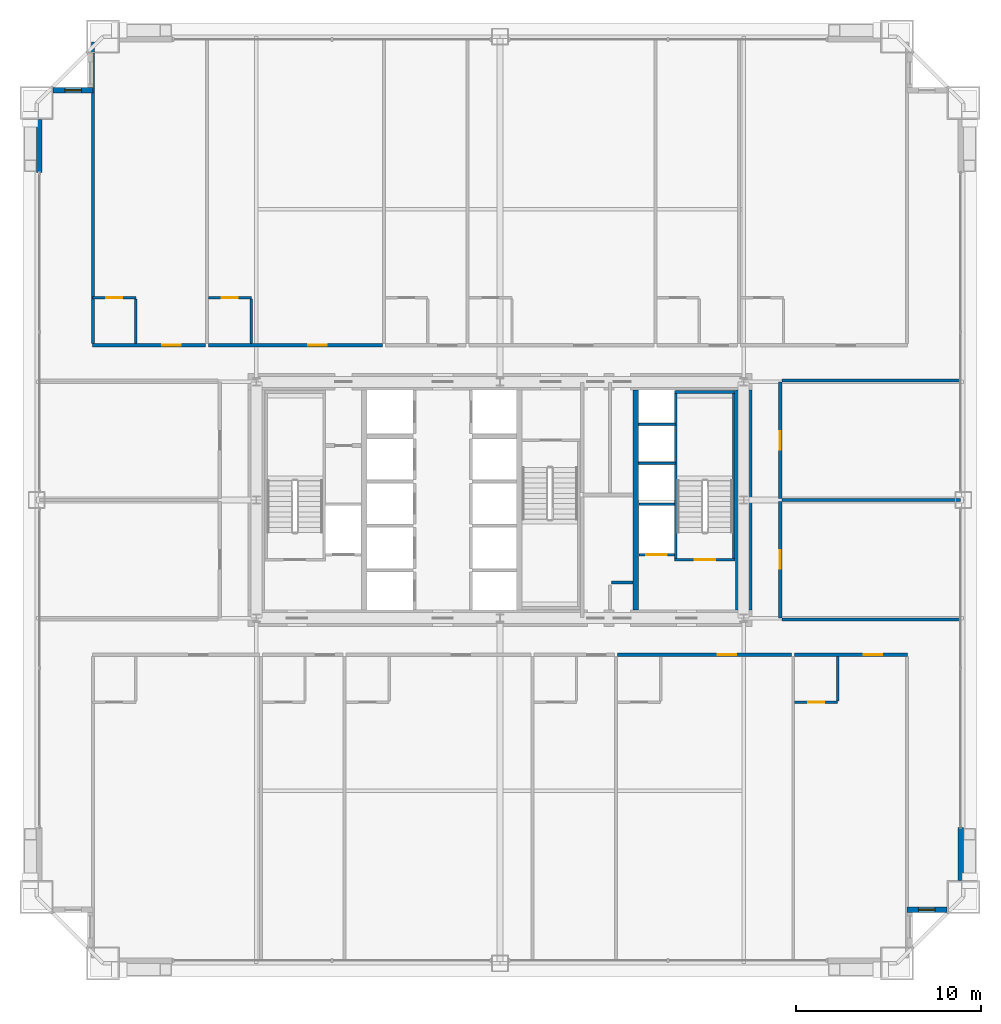
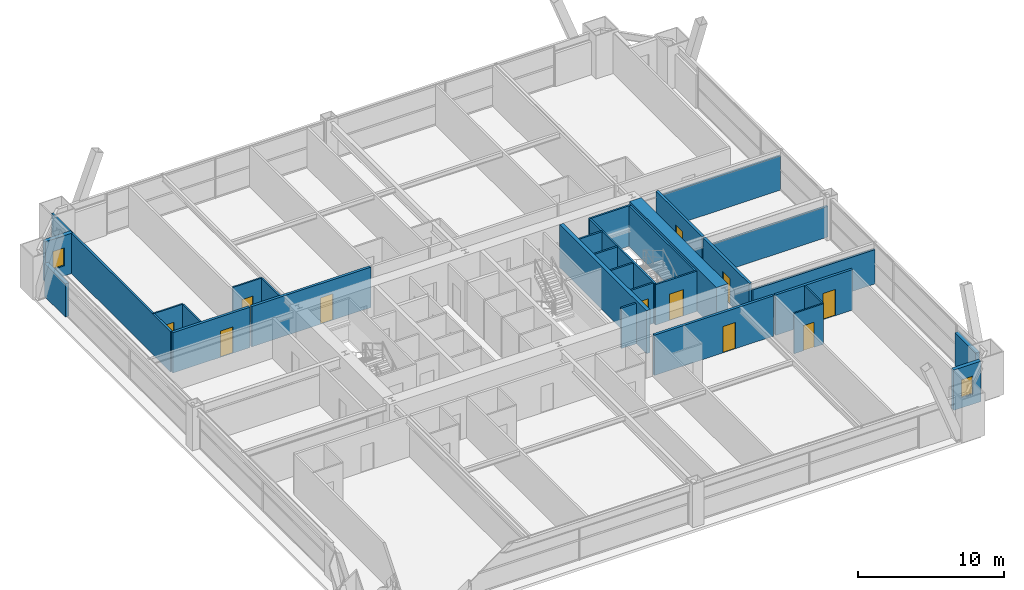
# One storey, part 41 of 43: 31 walls, 11 doors, 2 windows, 13 openings.
"""IFC4 building model written with IfcOpenShell, lengths in metres."""

from ifc_helpers import new_model, si_unit, direction, frame, frame_2d, origin, place, context, subcontext, project, spatial, rectangle, extrude, source, transform, mapped, material, layer, layer_set, type_object, element, fill, save


model = new_model("IFC4")

# Units and contexts
model_context = context("Model", 3, precision=1e-05, world=origin(), true_north=direction((0.0, 1.0)))
body_context = subcontext(model_context, "Body", "Model", "MODEL_VIEW")
ifc_project = project(units=[si_unit("LENGTHUNIT", "METRE"), si_unit("AREAUNIT", "SQUARE_METRE"), si_unit("VOLUMEUNIT", "CUBIC_METRE"), si_unit("PLANEANGLEUNIT", "RADIAN"), si_unit("MASSUNIT", "GRAM", prefix="KILO"), si_unit("THERMODYNAMICTEMPERATUREUNIT", "KELVIN"), si_unit("POWERUNIT", "WATT")], contexts=[model_context])

# Site, building, storey
site_placement = place(None, origin())
site = spatial("IfcSite", under=ifc_project, at=site_placement, CompositionType="ELEMENT")
building_placement = place(site_placement, origin())
building = spatial("IfcBuilding", under=site, at=building_placement, Name="Yuzanri Waterfront Tower", CompositionType="ELEMENT")
storey_placement = place(building_placement, frame((0.0, 0.0, 74.800048828125)))
storey = spatial("IfcBuildingStorey", under=building, at=storey_placement, Name="L19", CompositionType="ELEMENT", Elevation=74.800048828125)

# Wall, opening, door
ifc_material_1 = material(Name="Moisture-Resistant Gypsum Stud Wall", Category="gypsum")
ifc_layer_1 = layer(ifc_material_1, 0.1201171875)
ifc_layer_set_1 = layer_set([ifc_layer_1], Name="Moisture-Resistant Gypsum Stud Wall")
wall_type_1 = type_object("IfcWallType", Name="Bathroom and Kitchen Wet Partition 120", PredefinedType="PARTITIONING", material=ifc_layer_set_1)
wall_1_placement = place(storey_placement, frame((52.962890625, 14.840087890625, 0.0), z_axis=(0.0, 0.0, 1.0), x_axis=(1.0, 0.0, 0.0)))
wall_1 = element("IfcWall", 1, at=wall_1_placement, inside=storey, type_object=wall_type_1, Name="L19 Partition UW-L19-S6-BS", PredefinedType="PARTITIONING", context=body_context, shape_type="SweptSolid", body=[
    extrude(rectangle(XDim=2.330078125, YDim=0.1201171875, at=frame_2d((1.1650390625, 0.0))), origin(), (0.0, 0.0, 1.0), 3.3798828125),
])
opening_1_placement = place(wall_1_placement, frame((0.739990234375, 0.0, 0.0)))
opening_1 = element("IfcOpeningElement", 2, at=opening_1_placement, cuts=wall_1, Name="Opening ID-0850", PredefinedType="OPENING", context=body_context, shape_type="SweptSolid", body=[
    extrude(rectangle(XDim=0.85009765625, YDim=2.10009765625, at=frame_2d((0.425048828125, 1.050048828125))), frame((0.0, 0.074951171875, 0.0), z_axis=(0.0, -1.0, 0.0), x_axis=(1.0, 0.0, 0.0)), (0.0, 0.0, 1.0), 0.14990234375),
])
ifc_material_2 = material(Name="Moisture-Resistant Lacquered Timber", Category="wood")
door_type_1 = type_object("IfcDoorType", Name="En-Suite Bathroom and Kitchen Swing Door 850x2100", OperationType="NOTDEFINED", PredefinedType="DOOR", material=ifc_material_2)
shared_shape_1 = source(origin(), body_context, "Body", "SweptSolid", [
    extrude(rectangle(XDim=0.85009765625, YDim=2.10009765625, at=frame_2d((0.425048828125, 1.050048828125))), frame((0.0, 0.02490234375, 0.0), z_axis=(0.0, -1.0, 0.0), x_axis=(1.0, 0.0, 0.0)), (0.0, 0.0, 1.0), 0.050048828125),
])
door_1_placement = place(opening_1_placement, origin())
door_1 = element("IfcDoor", 3, at=door_1_placement, inside=storey, type_object=door_type_1, Name="L19 Guest En-Suite Door", OperationType="SINGLE_SWING_LEFT", OverallHeight=2.10009765625, OverallWidth=0.85009765625, PredefinedType="DOOR", context=body_context, shape_type="MappedRepresentation", body=[
    mapped(shared_shape_1, transform((0.0, 0.0, 0.0), scale=1.0)),
])
fill(opening_1, door_1)

wall_2_placement = place(storey_placement, frame((14.93994140625, 36.760009765625, 0.0), z_axis=(0.0, 0.0, 1.0), x_axis=(1.0, 0.0, 0.0)))
wall_2 = element("IfcWall", 4, at=wall_2_placement, inside=storey, type_object=wall_type_1, Name="L19 Partition UW-L19-N1-BN", PredefinedType="PARTITIONING", context=body_context, shape_type="SweptSolid", body=[
    extrude(rectangle(XDim=2.330078125, YDim=0.1201171875, at=frame_2d((1.1650390625, 0.0))), origin(), (0.0, 0.0, 1.0), 3.3798828125),
])
opening_2_placement = place(wall_2_placement, frame((0.739990234375, 0.0, 0.0)))
opening_2 = element("IfcOpeningElement", 5, at=opening_2_placement, cuts=wall_2, Name="Opening ID-0850", PredefinedType="OPENING", context=body_context, shape_type="SweptSolid", body=[
    extrude(rectangle(XDim=0.85009765625, YDim=2.10009765625, at=frame_2d((0.425048828125, 1.050048828125))), frame((0.0, 0.074951171875, 0.0), z_axis=(0.0, -1.0, 0.0), x_axis=(1.0, 0.0, 0.0)), (0.0, 0.0, 1.0), 0.14990234375),
])
door_2_placement = place(opening_2_placement, origin())
door_2 = element("IfcDoor", 6, at=door_2_placement, inside=storey, type_object=door_type_1, Name="L19 Guest En-Suite Door", OperationType="SINGLE_SWING_LEFT", OverallHeight=2.10009765625, OverallWidth=0.85009765625, PredefinedType="DOOR", context=body_context, shape_type="MappedRepresentation", body=[
    mapped(shared_shape_1, transform((0.0, 0.0, 0.0), scale=1.0)),
])
fill(opening_2, door_2)

wall_3_placement = place(storey_placement, frame((21.197021484375, 36.760009765625, 0.0), z_axis=(0.0, 0.0, 1.0), x_axis=(1.0, 0.0, 0.0)))
wall_3 = element("IfcWall", 7, at=wall_3_placement, inside=storey, type_object=wall_type_1, Name="L19 Partition UW-L19-N2-BN", PredefinedType="PARTITIONING", context=body_context, shape_type="SweptSolid", body=[
    extrude(rectangle(XDim=2.330078125, YDim=0.1201171875, at=frame_2d((1.1650390625, 0.0))), origin(), (0.0, 0.0, 1.0), 3.3798828125),
])
opening_3_placement = place(wall_3_placement, frame((0.739990234375, 0.0, 0.0)))
opening_3 = element("IfcOpeningElement", 8, at=opening_3_placement, cuts=wall_3, Name="Opening ID-0850", PredefinedType="OPENING", context=body_context, shape_type="SweptSolid", body=[
    extrude(rectangle(XDim=0.85009765625, YDim=2.10009765625, at=frame_2d((0.425048828125, 1.050048828125))), frame((0.0, 0.074951171875, 0.0), z_axis=(0.0, -1.0, 0.0), x_axis=(1.0, 0.0, 0.0)), (0.0, 0.0, 1.0), 0.14990234375),
])
door_3_placement = place(opening_3_placement, origin())
door_3 = element("IfcDoor", 9, at=door_3_placement, inside=storey, type_object=door_type_1, Name="L19 Guest En-Suite Door", OperationType="SINGLE_SWING_LEFT", OverallHeight=2.10009765625, OverallWidth=0.85009765625, PredefinedType="DOOR", context=body_context, shape_type="MappedRepresentation", body=[
    mapped(shared_shape_1, transform((0.0, 0.0, 0.0), scale=1.0)),
])
fill(opening_3, door_3)

# Wall, opening, window
ifc_material_3 = material(Name="Honed Chongqing Dark Basalt Stone", Category="masonry")
ifc_layer_2 = layer(ifc_material_3, 0.300048828125)
ifc_layer_set_2 = layer_set([ifc_layer_2], Name="Honed Chongqing Dark Basalt Stone")
wall_type_2 = type_object("IfcWallType", Name="Bronze Rainscreen Insulated Spandrel Portal Wall 300", PredefinedType="SOLIDWALL", material=ifc_layer_set_2)
wall_4_placement = place(storey_placement, frame((59.050048828125, 3.60009765625, 0.0), z_axis=(0.0, 0.0, 1.0), x_axis=(1.0, 0.0, 0.0)))
wall_4 = element("IfcWall", 10, at=wall_4_placement, inside=storey, type_object=wall_type_2, Name="L19 Notched Corner Masonry Wall SE-X", PredefinedType="SOLIDWALL", context=body_context, shape_type="SweptSolid", body=[
    extrude(rectangle(XDim=2.14990234375, YDim=0.300048828125, at=frame_2d((1.074951171875, 0.0))), origin(), (0.0, 0.0, 1.0), 3.3798828125),
])
opening_4_placement = place(wall_4_placement, frame((0.625, 0.0, 0.85009765625)))
opening_4 = element("IfcOpeningElement", 11, at=opening_4_placement, cuts=wall_4, Name="Opening WN-05", PredefinedType="OPENING", context=body_context, shape_type="SweptSolid", body=[
    extrude(rectangle(XDim=0.89990234375, YDim=1.5, at=frame_2d((0.449951171875, 0.75))), frame((0.0, 0.1650390625, 0.0), z_axis=(0.0, -1.0, 0.0), x_axis=(1.0, 0.0, 0.0)), (0.0, 0.0, 1.0), 0.329833984375),
])
ifc_material_4 = material(Name="Double-Silver Low-E Insulated Glass", Category="glass")
window_type = type_object("IfcWindowType", Name="Anodized Bronze Service and Stairwell Smoke-Vent Window 900x1500", PartitioningType="SINGLE_PANEL", PredefinedType="WINDOW", material=ifc_material_4)
shared_shape_2 = source(origin(), body_context, "Body", "SweptSolid", [
    extrude(rectangle(XDim=0.89990234375, YDim=1.5, at=frame_2d((0.449951171875, 0.75))), frame((0.0, 0.030029296875, 0.0), z_axis=(0.0, -1.0, 0.0), x_axis=(1.0, 0.0, 0.0)), (0.0, 0.0, 1.0), 0.06005859375),
])
window_1_placement = place(opening_4_placement, origin())
window_1 = element("IfcWindow", 12, at=window_1_placement, inside=storey, type_object=window_type, Name="L19 Notched Corner Window SE-X", OverallHeight=1.5, OverallWidth=0.89990234375, PartitioningType="SINGLE_PANEL", PredefinedType="WINDOW", context=body_context, shape_type="MappedRepresentation", body=[
    mapped(shared_shape_2, transform((0.0, 0.0, 0.0), scale=1.0)),
])
fill(opening_4, window_1)

wall_5_placement = place(storey_placement, frame((14.949951171875, 48.0, 0.0), z_axis=(0.0, 0.0, 1.0), x_axis=(-1.0, 0.0, 0.0)))
wall_5 = element("IfcWall", 13, at=wall_5_placement, inside=storey, type_object=wall_type_2, Name="L19 Notched Corner Masonry Wall NW-X", PredefinedType="SOLIDWALL", context=body_context, shape_type="SweptSolid", body=[
    extrude(rectangle(XDim=2.14990234375, YDim=0.300048828125, at=frame_2d((1.074951171875, 0.0))), origin(), (0.0, 0.0, 1.0), 3.3798828125),
])
opening_5_placement = place(wall_5_placement, frame((0.625, 0.0, 0.85009765625)))
opening_5 = element("IfcOpeningElement", 14, at=opening_5_placement, cuts=wall_5, Name="Opening WN-05", PredefinedType="OPENING", context=body_context, shape_type="SweptSolid", body=[
    extrude(rectangle(XDim=0.89990234375, YDim=1.5, at=frame_2d((0.449951171875, 0.75))), frame((0.0, 0.1650390625, 0.0), z_axis=(0.0, -1.0, 0.0), x_axis=(1.0, 0.0, 0.0)), (0.0, 0.0, 1.0), 0.329833984375),
])
window_2_placement = place(opening_5_placement, origin())
window_2 = element("IfcWindow", 15, at=window_2_placement, inside=storey, type_object=window_type, Name="L19 Notched Corner Window NW-X", OverallHeight=1.5, OverallWidth=0.89990234375, PartitioningType="SINGLE_PANEL", PredefinedType="WINDOW", context=body_context, shape_type="MappedRepresentation", body=[
    mapped(shared_shape_2, transform((0.0, 0.0, 0.0), scale=1.0)),
])
fill(opening_5, window_2)

# Wall, opening, door
ifc_material_5 = material(Name="Concrete C40", Category="concrete")
ifc_layer_3 = layer(ifc_material_5, 0.139892578125)
ifc_layer_set_3 = layer_set([ifc_layer_3], Name="Concrete C40")
wall_type_3 = type_object("IfcWallType", Name="Core Stair Liner and Hoistway Shaft Wall 140", PredefinedType="SOLIDWALL", material=ifc_layer_set_3)
wall_6_placement = place(storey_placement, frame((44.52001953125, 22.830078125, 0.0), z_axis=(0.0, 0.0, 1.0), x_axis=(1.0, 0.0, 0.0)))
wall_6 = element("IfcWall", 16, at=wall_6_placement, inside=storey, type_object=wall_type_3, Name="L19 Lift FL-02 Front Shaft Wall", PredefinedType="SOLIDWALL", context=body_context, shape_type="SweptSolid", body=[
    extrude(rectangle(XDim=1.919921875, YDim=0.139892578125, at=frame_2d((0.9599609375, 0.0))), origin(), (0.0, 0.0, 1.0), 3.3798828125),
])
opening_6_placement = place(wall_6_placement, frame((0.409912109375, 0.0, 0.0)))
opening_6 = element("IfcOpeningElement", 17, at=opening_6_placement, cuts=wall_6, Name="Opening LD-FL-02", PredefinedType="OPENING", context=body_context, shape_type="SweptSolid", body=[
    extrude(rectangle(XDim=1.10009765625, YDim=2.199951171875, at=frame_2d((0.550048828125, 1.10009765625))), frame((0.0, 0.0849609375, 0.0), z_axis=(0.0, -1.0, 0.0), x_axis=(1.0, 0.0, 0.0)), (0.0, 0.0, 1.0), 0.169677734375),
])
ifc_material_6 = material(Name="Brushed Bronze and Stainless Steel Cab", Category="steel")
door_type_2 = type_object("IfcDoorType", Name="Center-Parting Bronze Lift Landing Sliding Door 1100x2200", OperationType="NOTDEFINED", PredefinedType="DOOR", material=ifc_material_6)
shared_shape_3 = source(origin(), body_context, "Body", "SweptSolid", [
    extrude(rectangle(XDim=1.10009765625, YDim=2.199951171875, at=frame_2d((0.550048828125, 1.10009765625))), frame((0.0, 0.02490234375, 0.0), z_axis=(0.0, -1.0, 0.0), x_axis=(1.0, 0.0, 0.0)), (0.0, 0.0, 1.0), 0.050048828125),
])
door_4_placement = place(opening_6_placement, origin())
door_4 = element("IfcDoor", 18, at=door_4_placement, inside=storey, type_object=door_type_2, Name="L19 FL-02 Lift Landing Sliding Door", OperationType="SLIDING_TO_RIGHT", OverallHeight=2.199951171875, OverallWidth=1.10009765625, PredefinedType="DOOR", context=body_context, shape_type="MappedRepresentation", body=[
    mapped(shared_shape_3, transform((0.0, 0.0, 0.0), scale=1.0)),
])
fill(opening_6, door_4)

wall_7_placement = place(storey_placement, frame((46.4599609375, 22.570068359375, 0.0), z_axis=(0.0, 0.0, 1.0), x_axis=(1.0, 0.0, 0.0)))
wall_7 = element("IfcWall", 19, at=wall_7_placement, inside=storey, type_object=wall_type_3, Name="L19 Shaft Wall STW-L19-ST-02-S", PredefinedType="SOLIDWALL", context=body_context, shape_type="SweptSolid", body=[
    extrude(rectangle(XDim=3.280029296875, YDim=0.139892578125, at=frame_2d((1.64013671875, 0.0))), origin(), (0.0, 0.0, 1.0), 3.3798828125),
])
opening_7_placement = place(wall_7_placement, frame((1.090087890625, 0.0, 0.0)))
opening_7 = element("IfcOpeningElement", 20, at=opening_7_placement, cuts=wall_7, Name="Opening FD-1100", PredefinedType="OPENING", context=body_context, shape_type="SweptSolid", body=[
    extrude(rectangle(XDim=1.10009765625, YDim=2.199951171875, at=frame_2d((0.550048828125, 1.10009765625))), frame((0.0, 0.0849609375, 0.0), z_axis=(0.0, -1.0, 0.0), x_axis=(1.0, 0.0, 0.0)), (0.0, 0.0, 1.0), 0.169677734375),
])
ifc_material_7 = material(Name="Painted Galvanized Fire Steel", Category="steel")
door_type_3 = type_object("IfcDoorType", Name="Smoke-Proof Stair and Lobby Fire Door 1100x2200", OperationType="NOTDEFINED", PredefinedType="DOOR", material=ifc_material_7)
shared_shape_4 = source(origin(), body_context, "Body", "SweptSolid", [
    extrude(rectangle(XDim=1.10009765625, YDim=2.199951171875, at=frame_2d((0.550048828125, 1.10009765625))), frame((0.0, 0.02490234375, 0.0), z_axis=(0.0, -1.0, 0.0), x_axis=(1.0, 0.0, 0.0)), (0.0, 0.0, 1.0), 0.050048828125),
])
door_5_placement = place(opening_7_placement, origin())
door_5 = element("IfcDoor", 21, at=door_5_placement, inside=storey, type_object=door_type_3, Name="L19 Stair ST-02 Fire Door", OperationType="SINGLE_SWING_LEFT", OverallHeight=2.199951171875, OverallWidth=1.10009765625, PredefinedType="DOOR", context=body_context, shape_type="MappedRepresentation", body=[
    mapped(shared_shape_4, transform((0.0, 0.0, 0.0), scale=1.0)),
])
fill(opening_7, door_5)

ifc_material_8 = material(Name="Autoclaved Aerated Concrete Blockwork", Category="masonry")
ifc_layer_4 = layer(ifc_material_8, 0.199951171875)
ifc_layer_set_4 = layer_set([ifc_layer_4], Name="Autoclaved Aerated Concrete Blockwork")
wall_type_4 = type_object("IfcWallType", Name="Corridor and Unit Party Fire Wall 200", PredefinedType="PARTITIONING", material=ifc_layer_set_4)
wall_8_placement = place(storey_placement, frame((43.3740234375, 17.419921875, 0.0), z_axis=(0.0, 0.0, 1.0), x_axis=(1.0, 0.0, 0.0)))
wall_8 = element("IfcWall", 22, at=wall_8_placement, inside=storey, type_object=wall_type_4, Name="L19 Partition UW-L19-S5-CN", PredefinedType="PARTITIONING", context=body_context, shape_type="SweptSolid", body=[
    extrude(rectangle(XDim=9.428955078125, YDim=0.199951171875, at=frame_2d((4.71435546875, 0.0))), origin(), (0.0, 0.0, 1.0), 3.3798828125),
])
opening_8_placement = place(wall_8_placement, frame((5.4189453125, 0.0, 0.0)))
opening_8 = element("IfcOpeningElement", 23, at=opening_8_placement, cuts=wall_8, Name="Opening FD-1000", PredefinedType="OPENING", context=body_context, shape_type="SweptSolid", body=[
    extrude(rectangle(XDim=1.0, YDim=2.199951171875, at=frame_2d((0.5, 1.10009765625))), frame((0.0, 0.11474609375, 0.0), z_axis=(0.0, -1.0, 0.0), x_axis=(1.0, 0.0, 0.0)), (0.0, 0.0, 1.0), 0.229736328125),
])
ifc_material_9 = material(Name="Engineered Oak Fire-Rated Timber", Category="wood")
door_type_4 = type_object("IfcDoorType", Name="Guestroom and Apartment Entrance Fire Door 1000x2200", OperationType="NOTDEFINED", PredefinedType="DOOR", material=ifc_material_9)
shared_shape_5 = source(origin(), body_context, "Body", "SweptSolid", [
    extrude(rectangle(XDim=1.0, YDim=2.199951171875, at=frame_2d((0.5, 1.10009765625))), frame((0.0, 0.02490234375, 0.0), z_axis=(0.0, -1.0, 0.0), x_axis=(1.0, 0.0, 0.0)), (0.0, 0.0, 1.0), 0.050048828125),
])
door_6_placement = place(opening_8_placement, origin())
door_6 = element("IfcDoor", 24, at=door_6_placement, inside=storey, type_object=door_type_4, Name="L19 Junior Riverview Suite Entrance Door", OperationType="SINGLE_SWING_RIGHT", OverallHeight=2.199951171875, OverallWidth=1.0, PredefinedType="DOOR", context=body_context, shape_type="MappedRepresentation", body=[
    mapped(shared_shape_5, transform((0.0, 0.0, 0.0), scale=1.0)),
])
fill(opening_8, door_6)

wall_9_placement = place(storey_placement, frame((52.962890625, 17.419921875, 0.0), z_axis=(0.0, 0.0, 1.0), x_axis=(1.0, 0.0, 0.0)))
wall_9 = element("IfcWall", 25, at=wall_9_placement, inside=storey, type_object=wall_type_4, Name="L19 Partition UW-L19-S6-CN", PredefinedType="PARTITIONING", context=body_context, shape_type="SweptSolid", body=[
    extrude(rectangle(XDim=6.09716796875, YDim=0.199951171875, at=frame_2d((3.048583984375, 0.0))), origin(), (0.0, 0.0, 1.0), 3.3798828125),
])
opening_9_placement = place(wall_9_placement, frame((3.7529296875, 0.0, 0.0)))
opening_9 = element("IfcOpeningElement", 26, at=opening_9_placement, cuts=wall_9, Name="Opening FD-1000", PredefinedType="OPENING", context=body_context, shape_type="SweptSolid", body=[
    extrude(rectangle(XDim=1.0, YDim=2.199951171875, at=frame_2d((0.5, 1.10009765625))), frame((0.0, 0.11474609375, 0.0), z_axis=(0.0, -1.0, 0.0), x_axis=(1.0, 0.0, 0.0)), (0.0, 0.0, 1.0), 0.229736328125),
])
door_7_placement = place(opening_9_placement, origin())
door_7 = element("IfcDoor", 27, at=door_7_placement, inside=storey, type_object=door_type_4, Name="L19 Junior Riverview Suite Entrance Door", OperationType="SINGLE_SWING_RIGHT", OverallHeight=2.199951171875, OverallWidth=1.0, PredefinedType="DOOR", context=body_context, shape_type="MappedRepresentation", body=[
    mapped(shared_shape_5, transform((0.0, 0.0, 0.0), scale=1.0)),
])
fill(opening_9, door_7)

wall_10_placement = place(storey_placement, frame((14.93994140625, 34.179931640625, 0.0), z_axis=(0.0, 0.0, 1.0), x_axis=(1.0, 0.0, 0.0)))
wall_10 = element("IfcWall", 28, at=wall_10_placement, inside=storey, type_object=wall_type_4, Name="L19 Partition UW-L19-N1-CS", PredefinedType="PARTITIONING", context=body_context, shape_type="SweptSolid", body=[
    extrude(rectangle(XDim=6.09716796875, YDim=0.199951171875, at=frame_2d((3.048583984375, 0.0))), origin(), (0.0, 0.0, 1.0), 3.3798828125),
])
opening_10_placement = place(wall_10_placement, frame((3.75390625, 0.0, 0.0)))
opening_10 = element("IfcOpeningElement", 29, at=opening_10_placement, cuts=wall_10, Name="Opening FD-1000", PredefinedType="OPENING", context=body_context, shape_type="SweptSolid", body=[
    extrude(rectangle(XDim=1.0, YDim=2.199951171875, at=frame_2d((0.5, 1.10009765625))), frame((0.0, 0.11474609375, 0.0), z_axis=(0.0, -1.0, 0.0), x_axis=(1.0, 0.0, 0.0)), (0.0, 0.0, 1.0), 0.229736328125),
])
door_8_placement = place(opening_10_placement, origin())
door_8 = element("IfcDoor", 30, at=door_8_placement, inside=storey, type_object=door_type_4, Name="L19 Superior Cityview Junior Suite Entrance Door", OperationType="SINGLE_SWING_RIGHT", OverallHeight=2.199951171875, OverallWidth=1.0, PredefinedType="DOOR", context=body_context, shape_type="MappedRepresentation", body=[
    mapped(shared_shape_5, transform((0.0, 0.0, 0.0), scale=1.0)),
])
fill(opening_10, door_8)

wall_11_placement = place(storey_placement, frame((21.197021484375, 34.179931640625, 0.0), z_axis=(0.0, 0.0, 1.0), x_axis=(1.0, 0.0, 0.0)))
wall_11 = element("IfcWall", 31, at=wall_11_placement, inside=storey, type_object=wall_type_4, Name="L19 Partition UW-L19-N2-CS", PredefinedType="PARTITIONING", context=body_context, shape_type="SweptSolid", body=[
    extrude(rectangle(XDim=9.428955078125, YDim=0.199951171875, at=frame_2d((4.71435546875, 0.0))), origin(), (0.0, 0.0, 1.0), 3.3798828125),
])
opening_11_placement = place(wall_11_placement, frame((5.419921875, 0.0, 0.0)))
opening_11 = element("IfcOpeningElement", 32, at=opening_11_placement, cuts=wall_11, Name="Opening FD-1000", PredefinedType="OPENING", context=body_context, shape_type="SweptSolid", body=[
    extrude(rectangle(XDim=1.0, YDim=2.199951171875, at=frame_2d((0.5, 1.10009765625))), frame((0.0, 0.11474609375, 0.0), z_axis=(0.0, -1.0, 0.0), x_axis=(1.0, 0.0, 0.0)), (0.0, 0.0, 1.0), 0.229736328125),
])
door_9_placement = place(opening_11_placement, origin())
door_9 = element("IfcDoor", 33, at=door_9_placement, inside=storey, type_object=door_type_4, Name="L19 Superior Cityview Junior Suite Entrance Door", OperationType="SINGLE_SWING_RIGHT", OverallHeight=2.199951171875, OverallWidth=1.0, PredefinedType="DOOR", context=body_context, shape_type="MappedRepresentation", body=[
    mapped(shared_shape_5, transform((0.0, 0.0, 0.0), scale=1.0)),
])
fill(opening_11, door_9)

wall_12_placement = place(storey_placement, frame((52.179931640625, 19.409912109375, 0.0), z_axis=(0.0, 0.0, 1.0), x_axis=(0.0, 1.0, 0.0)))
wall_12 = element("IfcWall", 34, at=wall_12_placement, inside=storey, type_object=wall_type_4, Name="L19 Partition UW-L19-E1-CW", PredefinedType="PARTITIONING", context=body_context, shape_type="SweptSolid", body=[
    extrude(rectangle(XDim=6.31005859375, YDim=0.199951171875, at=frame_2d((3.155029296875, 0.0))), origin(), (0.0, 0.0, 1.0), 3.3798828125),
])
opening_12_placement = place(wall_12_placement, frame((2.655029296875, 0.0, 0.0)))
opening_12 = element("IfcOpeningElement", 35, at=opening_12_placement, cuts=wall_12, Name="Opening FD-1000", PredefinedType="OPENING", context=body_context, shape_type="SweptSolid", body=[
    extrude(rectangle(XDim=1.0, YDim=2.199951171875, at=frame_2d((0.5, 1.10009765625))), frame((0.0, 0.11474609375, 0.0), z_axis=(0.0, -1.0, 0.0), x_axis=(1.0, 0.0, 0.0)), (0.0, 0.0, 1.0), 0.229736328125),
])
door_10_placement = place(opening_12_placement, origin())
door_10 = element("IfcDoor", 36, at=door_10_placement, inside=storey, type_object=door_type_4, Name="L19 Wellness Gym Studio Entrance Door", OperationType="SINGLE_SWING_RIGHT", OverallHeight=2.199951171875, OverallWidth=1.0, PredefinedType="DOOR", context=body_context, shape_type="MappedRepresentation", body=[
    mapped(shared_shape_5, transform((0.0, 0.0, 0.0), scale=1.0)),
])
fill(opening_12, door_10)

wall_13_placement = place(storey_placement, frame((52.179931640625, 25.8798828125, 0.0), z_axis=(0.0, 0.0, 1.0), x_axis=(0.0, 1.0, 0.0)))
wall_13 = element("IfcWall", 37, at=wall_13_placement, inside=storey, type_object=wall_type_4, Name="L19 Partition UW-L19-E2-CW", PredefinedType="PARTITIONING", context=body_context, shape_type="SweptSolid", body=[
    extrude(rectangle(XDim=6.31005859375, YDim=0.199951171875, at=frame_2d((3.155029296875, 0.0))), origin(), (0.0, 0.0, 1.0), 3.3798828125),
])
opening_13_placement = place(wall_13_placement, frame((2.655029296875, 0.0, 0.0)))
opening_13 = element("IfcOpeningElement", 38, at=opening_13_placement, cuts=wall_13, Name="Opening FD-1000", PredefinedType="OPENING", context=body_context, shape_type="SweptSolid", body=[
    extrude(rectangle(XDim=1.0, YDim=2.199951171875, at=frame_2d((0.5, 1.10009765625))), frame((0.0, 0.11474609375, 0.0), z_axis=(0.0, -1.0, 0.0), x_axis=(1.0, 0.0, 0.0)), (0.0, 0.0, 1.0), 0.229736328125),
])
door_11_placement = place(opening_13_placement, origin())
door_11 = element("IfcDoor", 39, at=door_11_placement, inside=storey, type_object=door_type_4, Name="L19 Pilates Gym Studio Entrance Door", OperationType="SINGLE_SWING_LEFT", OverallHeight=2.199951171875, OverallWidth=1.0, PredefinedType="DOOR", context=body_context, shape_type="MappedRepresentation", body=[
    mapped(shared_shape_5, transform((0.0, 0.0, 0.0), scale=1.0)),
])
fill(opening_13, door_11)

# Walls
ifc_material_10 = material(Name="Concrete C60", Category="concrete")
ifc_layer_5 = layer(ifc_material_10, 0.89990234375)
ifc_layer_set_5 = layer_set([ifc_layer_5], Name="Concrete C60")
wall_type_5 = type_object("IfcWallType", Name="Concrete C60 Lower Zone Core Shear Wall 900", PredefinedType="SHEAR", material=ifc_layer_set_5)
shared_shape_6 = source(origin(), body_context, "Body", "SweptSolid", [
    extrude(rectangle(XDim=11.89990234375, YDim=0.89990234375, at=frame_2d((5.949951171875, 0.0))), origin(), (0.0, 0.0, 1.0), 3.599853515625),
])
wall_14_placement = place(storey_placement, frame((50.199951171875, 19.85009765625, 0.0), z_axis=(0.0, 0.0, 1.0), x_axis=(0.0, 1.0, 0.0)))
element("IfcWall", 40, at=wall_14_placement, inside=storey, type_object=wall_type_5, Name="L19 Core East Shear Wall", PredefinedType="SHEAR", context=body_context, shape_type="MappedRepresentation", body=[
    mapped(shared_shape_6, transform((0.0, 0.0, 0.0), scale=1.0)),
])
ifc_material_11 = material(Name="Concrete C50", Category="concrete")
ifc_layer_6 = layer(ifc_material_11, 0.300048828125)
ifc_layer_set_6 = layer_set([ifc_layer_6], Name="Concrete C50")
wall_type_6 = type_object("IfcWallType", Name="Concrete C50 Internal Core Shaft Structural Wall 300", PredefinedType="SOLIDWALL", material=ifc_layer_set_6)
shared_shape_7 = source(origin(), body_context, "Body", "SweptSolid", [
    extrude(rectangle(XDim=11.89990234375, YDim=0.300048828125, at=frame_2d((5.949951171875, 0.0))), origin(), (0.0, 0.0, 1.0), 3.599853515625),
])
wall_15_placement = place(storey_placement, frame((44.35009765625, 19.85009765625, 0.0), z_axis=(0.0, 0.0, 1.0), x_axis=(0.0, 1.0, 0.0)))
element("IfcWall", 41, at=wall_15_placement, inside=storey, type_object=wall_type_6, Name="L19 Core Internal Structural Web Wall 3", PredefinedType="SOLIDWALL", context=body_context, shape_type="MappedRepresentation", body=[
    mapped(shared_shape_7, transform((0.0, 0.0, 0.0), scale=1.0)),
])
shared_shape_8 = source(origin(), body_context, "Body", "SweptSolid", [
    extrude(rectangle(XDim=2.85009765625, YDim=0.300048828125, at=frame_2d((1.425048828125, 0.0))), origin(), (0.0, 0.0, 1.0), 2.77490234375),
])
wall_16_placement = place(storey_placement, frame((61.949951171875, 5.199951171875, 0.0), z_axis=(0.0, 0.0, 1.0), x_axis=(0.0, 1.0, 0.0)))
element("IfcWall", 42, at=wall_16_placement, inside=storey, type_object=wall_type_2, Name="L19 E Left Braced Masonry Shoulder", PredefinedType="SOLIDWALL", context=body_context, shape_type="MappedRepresentation", body=[
    mapped(shared_shape_8, transform((0.0, 0.0, 0.0), scale=1.0)),
])
shared_shape_9 = source(origin(), body_context, "Body", "SweptSolid", [
    extrude(rectangle(XDim=2.849853515625, YDim=0.300048828125, at=frame_2d((1.4248046875, 0.0))), origin(), (0.0, 0.0, 1.0), 2.77490234375),
])
wall_17_placement = place(storey_placement, frame((12.050048828125, 43.550048828125, 0.0), z_axis=(0.0, 0.0, 1.0), x_axis=(0.0, 1.0, 0.0)))
element("IfcWall", 43, at=wall_17_placement, inside=storey, type_object=wall_type_2, Name="L19 W Right Braced Masonry Shoulder", PredefinedType="SOLIDWALL", context=body_context, shape_type="MappedRepresentation", body=[
    mapped(shared_shape_9, transform((0.0, 0.0, 0.0), scale=1.0)),
])
shared_shape_10 = source(origin(), body_context, "Body", "SweptSolid", [
    extrude(rectangle(XDim=1.919921875, YDim=0.139892578125, at=frame_2d((0.9599609375, 0.0))), origin(), (0.0, 0.0, 1.0), 3.3798828125),
])
wall_18_placement = place(storey_placement, frame((44.52001953125, 25.570068359375, 0.0), z_axis=(0.0, 0.0, 1.0), x_axis=(1.0, 0.0, 0.0)))
element("IfcWall", 44, at=wall_18_placement, inside=storey, type_object=wall_type_3, Name="L19 Lift FL-02 Back Shaft Wall", PredefinedType="SOLIDWALL", context=body_context, shape_type="MappedRepresentation", body=[
    mapped(shared_shape_10, transform((0.0, 0.0, 0.0), scale=1.0)),
])
shared_shape_11 = source(origin(), body_context, "Body", "SweptSolid", [
    extrude(rectangle(XDim=2.0, YDim=0.139892578125, at=frame_2d((1.0, 0.0))), origin(), (0.0, 0.0, 1.0), 3.3798828125),
])
for number, where, z_axis, x_axis, name in (
    (45, (44.5, 27.800048828125, 0.0), (0.0, 0.0, 1.0), (1.0, 0.0, 0.0), "L19 Lift PL-09 Divider Wall"),
    (46, (44.5, 29.89990234375, 0.0), (0.0, 0.0, 1.0), (1.0, 0.0, 0.0), "L19 Lift PL-10 Divider Wall"),
):
    element("IfcWall", number, at=place(storey_placement, frame(where, z_axis=z_axis, x_axis=x_axis)), inside=storey, type_object=wall_type_3, Name=name, PredefinedType="SOLIDWALL", context=body_context, shape_type="MappedRepresentation", body=[
        mapped(shared_shape_11, transform((0.0, 0.0, 0.0), scale=1.0)),
    ])
shared_shape_12 = source(origin(), body_context, "Body", "SweptSolid", [
    extrude(rectangle(XDim=3.280029296875, YDim=0.139892578125, at=frame_2d((1.64013671875, 0.0))), origin(), (0.0, 0.0, 1.0), 3.3798828125),
])
wall_19_placement = place(storey_placement, frame((46.4599609375, 31.64990234375, 0.0), z_axis=(0.0, 0.0, 1.0), x_axis=(1.0, 0.0, 0.0)))
element("IfcWall", 47, at=wall_19_placement, inside=storey, type_object=wall_type_3, Name="L19 Stair ST-02 North Shaft Wall", PredefinedType="SOLIDWALL", context=body_context, shape_type="MappedRepresentation", body=[
    mapped(shared_shape_12, transform((0.0, 0.0, 0.0), scale=1.0)),
])
shared_shape_13 = source(origin(), body_context, "Body", "SweptSolid", [
    extrude(rectangle(XDim=8.940185546875, YDim=0.139892578125, at=frame_2d((4.47021484375, 0.0))), origin(), (0.0, 0.0, 1.0), 3.3798828125),
])
for number, where, z_axis, x_axis, name in (
    (48, (46.530029296875, 22.639892578125, 0.0), (0.0, 0.0, 1.0), (0.0, 1.0, 0.0), "L19 Stair ST-02 West Shaft Wall"),
    (49, (49.669921875, 22.639892578125, 0.0), (0.0, 0.0, 1.0), (0.0, 1.0, 0.0), "L19 Stair ST-02 East Shaft Wall"),
):
    element("IfcWall", number, at=place(storey_placement, frame(where, z_axis=z_axis, x_axis=x_axis)), inside=storey, type_object=wall_type_3, Name=name, PredefinedType="SOLIDWALL", context=body_context, shape_type="MappedRepresentation", body=[
        mapped(shared_shape_13, transform((0.0, 0.0, 0.0), scale=1.0)),
    ])
ifc_material_12 = material(Name="Gypsum Fireboard Acoustic Stud Wall", Category="gypsum")
ifc_layer_7 = layer(ifc_material_12, 0.159912109375)
ifc_layer_set_7 = layer_set([ifc_layer_7], Name="Gypsum Fireboard Acoustic Stud Wall")
wall_type_7 = type_object("IfcWallType", Name="Acoustic Suite Demising Partition 160", PredefinedType="PARTITIONING", material=ifc_layer_set_7)
shared_shape_14 = source(origin(), body_context, "Body", "SweptSolid", [
    extrude(rectangle(XDim=1.169921875, YDim=0.159912109375, at=frame_2d((0.5849609375, 0.0))), origin(), (0.0, 0.0, 1.0), 3.3798828125),
])
wall_20_placement = place(storey_placement, frame((43.030029296875, 21.320068359375, 0.0), z_axis=(0.0, 0.0, 1.0), x_axis=(1.0, 0.0, 0.0)))
element("IfcWall", 50, at=wall_20_placement, inside=storey, type_object=wall_type_7, Name="L19 East Wet Riser North Wall", PredefinedType="PARTITIONING", context=body_context, shape_type="MappedRepresentation", body=[
    mapped(shared_shape_14, transform((0.0, 0.0, 0.0), scale=1.0)),
])
shared_shape_15 = source(origin(), body_context, "Body", "SweptSolid", [
    extrude(rectangle(XDim=2.420166015625, YDim=0.1201171875, at=frame_2d((1.2099609375, 0.0))), origin(), (0.0, 0.0, 1.0), 3.3798828125),
])
wall_21_placement = place(storey_placement, frame((55.29296875, 14.89990234375, 0.0), z_axis=(0.0, 0.0, 1.0), x_axis=(0.0, 1.0, 0.0)))
element("IfcWall", 51, at=wall_21_placement, inside=storey, type_object=wall_type_1, Name="L19-S6 En-Suite Side Wall", PredefinedType="PARTITIONING", context=body_context, shape_type="MappedRepresentation", body=[
    mapped(shared_shape_15, transform((0.0, 0.0, 0.0), scale=1.0)),
])
shared_shape_16 = source(origin(), body_context, "Body", "SweptSolid", [
    extrude(rectangle(XDim=16.320068359375, YDim=0.159912109375, at=frame_2d((8.16015625, 0.0))), origin(), (0.0, 0.0, 1.0), 3.3798828125),
])
wall_22_placement = place(storey_placement, frame((14.949951171875, 34.280029296875, 0.0), z_axis=(0.0, 0.0, 1.0), x_axis=(0.0, 1.0, 0.0)))
element("IfcWall", 52, at=wall_22_placement, inside=storey, type_object=wall_type_7, Name="L19 North Band West End Wall", PredefinedType="PARTITIONING", context=body_context, shape_type="MappedRepresentation", body=[
    mapped(shared_shape_16, transform((0.0, 0.0, 0.0), scale=1.0)),
])
shared_shape_17 = source(origin(), body_context, "Body", "SweptSolid", [
    extrude(rectangle(XDim=2.419921875, YDim=0.1201171875, at=frame_2d((1.2099609375, 0.0))), origin(), (0.0, 0.0, 1.0), 3.3798828125),
])
for number, where, z_axis, x_axis, name in (
    (53, (17.27001953125, 34.280029296875, 0.0), (0.0, 0.0, 1.0), (0.0, 1.0, 0.0), "L19-N1 En-Suite Side Wall"),
    (54, (23.527099609375, 34.280029296875, 0.0), (0.0, 0.0, 1.0), (0.0, 1.0, 0.0), "L19-N2 En-Suite Side Wall"),
):
    element("IfcWall", number, at=place(storey_placement, frame(where, z_axis=z_axis, x_axis=x_axis)), inside=storey, type_object=wall_type_1, Name=name, PredefinedType="PARTITIONING", context=body_context, shape_type="MappedRepresentation", body=[
        mapped(shared_shape_17, transform((0.0, 0.0, 0.0), scale=1.0)),
    ])
shared_shape_18 = source(origin(), body_context, "Body", "SweptSolid", [
    extrude(rectangle(XDim=9.669921875, YDim=0.159912109375, at=frame_2d((4.8349609375, 0.0))), origin(), (0.0, 0.0, 1.0), 2.574951171875),
])
wall_23_placement = place(storey_placement, frame((52.280029296875, 25.800048828125, 0.0), z_axis=(0.0, 0.0, 1.0), x_axis=(1.0, 0.0, 0.0)))
element("IfcWall", 55, at=wall_23_placement, inside=storey, type_object=wall_type_7, Name="L19-E1 Wing Party Wall", PredefinedType="PARTITIONING", context=body_context, shape_type="MappedRepresentation", body=[
    mapped(shared_shape_18, transform((0.0, 0.0, 0.0), scale=1.0)),
])
shared_shape_19 = source(origin(), body_context, "Body", "SweptSolid", [
    extrude(rectangle(XDim=9.669921875, YDim=0.159912109375, at=frame_2d((4.8349609375, 0.0))), origin(), (0.0, 0.0, 1.0), 2.875),
])
for number, where, z_axis, x_axis, name in (
    (56, (52.280029296875, 19.330078125, 0.0), (0.0, 0.0, 1.0), (1.0, 0.0, 0.0), "L19-E1 Wing South End Wall"),
    (57, (52.280029296875, 32.27001953125, 0.0), (0.0, 0.0, 1.0), (1.0, 0.0, 0.0), "L19-E2 Wing North End Wall"),
):
    element("IfcWall", number, at=place(storey_placement, frame(where, z_axis=z_axis, x_axis=x_axis)), inside=storey, type_object=wall_type_7, Name=name, PredefinedType="PARTITIONING", context=body_context, shape_type="MappedRepresentation", body=[
        mapped(shared_shape_19, transform((0.0, 0.0, 0.0), scale=1.0)),
    ])

save(model, "model.ifc")
